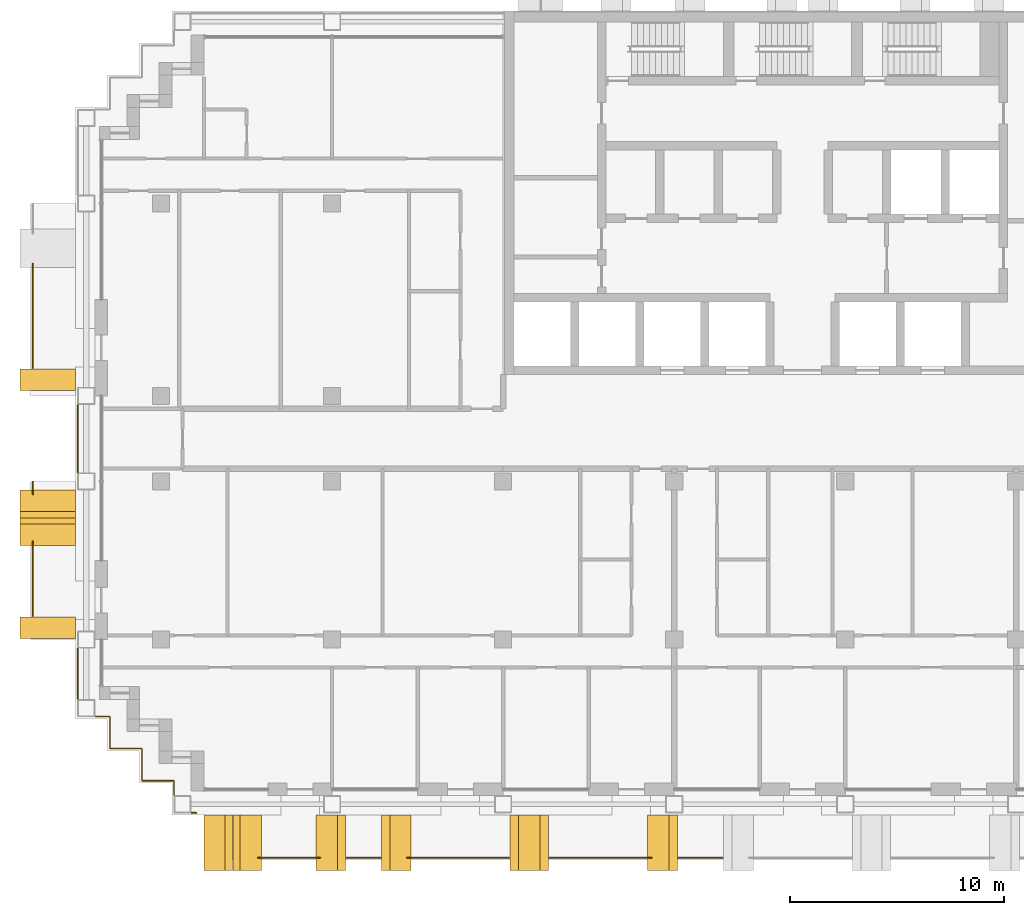
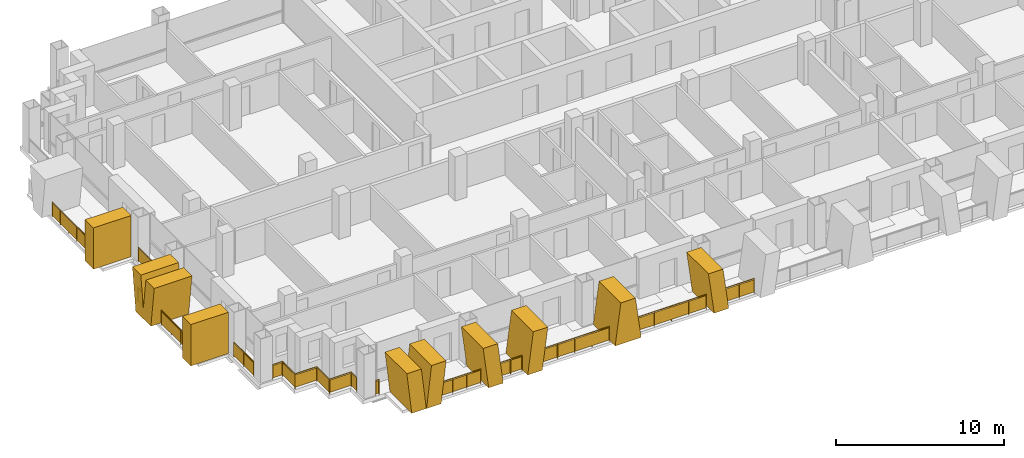
# One storey, part 13 of 16: 12 railings, 9 shading devices.
"""IFC4 building model written with IfcOpenShell, lengths in metres."""

from ifc_helpers import new_model, si_unit, direction, frame, origin, origin_2d, place, context, subcontext, project, spatial, polyline, rectangle, circle, outline, extrude, material, layer, layer_set, type_object, element, save


model = new_model("IFC4")

# Units and contexts
model_context = context("Model", 3, precision=1e-05, world=origin(), true_north=direction((0.0, 1.0)))
body_context = subcontext(model_context, "Body", "Model", "MODEL_VIEW")
ifc_project = project(units=[si_unit("LENGTHUNIT", "METRE"), si_unit("AREAUNIT", "SQUARE_METRE"), si_unit("VOLUMEUNIT", "CUBIC_METRE"), si_unit("PLANEANGLEUNIT", "RADIAN"), si_unit("MASSUNIT", "GRAM", prefix="KILO")], contexts=[model_context])

# Site, building, storey
site_placement = place(None, origin())
site = spatial("IfcSite", under=ifc_project, at=site_placement, CompositionType="ELEMENT")
building_placement = place(site_placement, origin())
building = spatial("IfcBuilding", under=site, at=building_placement, Name="Vidyagriha Tower", CompositionType="ELEMENT")
storey_placement = place(building_placement, frame((0.0, 0.0, 132.60009765625)))
storey = spatial("IfcBuildingStorey", under=building, at=storey_placement, Name="L34", CompositionType="ELEMENT", Elevation=132.60009765625)

# Railings
ifc_material_1 = material(Name="Steel ASTM A500 Grade C black painted", Category="steel")
railing_type_1 = type_object("IfcRailingType", Name="Balcony guard 1100", PredefinedType="BALUSTRADE", material=ifc_material_1)
railing_1_placement = place(storey_placement, frame((-36.0, 8.19677734375, 0.0)))
element("IfcRailing", 1, at=railing_1_placement, inside=storey, type_object=railing_type_1, Name="Balcony guard L34 R16.1-2", PredefinedType="BALUSTRADE", context=body_context, shape_type="SweptSolid", body=[
    extrude(circle(Radius=0.02490234375, at=origin_2d()), frame((0.0, 0.0, 1.0751953125), z_axis=(0.0, -1.0, 0.0), x_axis=(1.0, 0.0, 0.0)), (0.0, 0.0, 1.0), 4.896728515625),
    extrude(circle(Radius=0.02001953125, at=origin_2d()), origin(), (0.0, 0.0, 1.0), 1.050048828125),
    extrude(circle(Radius=0.02001953125, at=origin_2d()), frame((0.0, -0.979248046875, 0.0)), (0.0, 0.0, 1.0), 1.050048828125),
    extrude(circle(Radius=0.02001953125, at=origin_2d()), frame((0.0, -1.958740234375, 0.0)), (0.0, 0.0, 1.0), 1.050048828125),
    extrude(circle(Radius=0.02001953125, at=origin_2d()), frame((0.0, -2.93798828125, 0.0)), (0.0, 0.0, 1.0), 1.050048828125),
    extrude(circle(Radius=0.02001953125, at=origin_2d()), frame((0.0, -3.91748046875, 0.0)), (0.0, 0.0, 1.0), 1.050048828125),
    extrude(circle(Radius=0.02001953125, at=origin_2d()), frame((0.0, -4.896728515625, 0.0)), (0.0, 0.0, 1.0), 1.050048828125),
    extrude(rectangle(XDim=0.010009765625, YDim=0.900146484375, at=origin_2d()), frame((0.0, 0.0, 0.550048828125), z_axis=(0.0, -1.0, 0.0), x_axis=(1.0, 0.0, 0.0)), (0.0, 0.0, 1.0), 4.896728515625),
])
railing_2_placement = place(storey_placement, frame((-36.0, -2.0, 0.0)))
element("IfcRailing", 2, at=railing_2_placement, inside=storey, type_object=railing_type_1, Name="Balcony guard L34 R16.2-1", PredefinedType="BALUSTRADE", context=body_context, shape_type="SweptSolid", body=[
    extrude(circle(Radius=0.02490234375, at=origin_2d()), frame((0.0, 0.0, 1.0751953125), z_axis=(0.0, -1.0, 0.0), x_axis=(1.0, 0.0, 0.0)), (0.0, 0.0, 1.0), 0.5966796875),
    extrude(circle(Radius=0.02001953125, at=origin_2d()), origin(), (0.0, 0.0, 1.0), 1.050048828125),
    extrude(circle(Radius=0.02001953125, at=origin_2d()), frame((0.0, -0.5966796875, 0.0)), (0.0, 0.0, 1.0), 1.050048828125),
    extrude(rectangle(XDim=0.010009765625, YDim=0.900146484375, at=origin_2d()), frame((0.0, 0.0, 0.550048828125), z_axis=(0.0, -1.0, 0.0), x_axis=(1.0, 0.0, 0.0)), (0.0, 0.0, 1.0), 0.5966796875),
])
railing_3_placement = place(storey_placement, frame((-36.0, -4.80322265625, 0.0)))
element("IfcRailing", 3, at=railing_3_placement, inside=storey, type_object=railing_type_1, Name="Balcony guard L34 R16.2-2", PredefinedType="BALUSTRADE", context=body_context, shape_type="SweptSolid", body=[
    extrude(circle(Radius=0.02490234375, at=origin_2d()), frame((0.0, 0.0, 1.0751953125), z_axis=(0.0, -1.0, 0.0), x_axis=(1.0, 0.0, 0.0)), (0.0, 0.0, 1.0), 3.496826171875),
    extrude(circle(Radius=0.02001953125, at=origin_2d()), origin(), (0.0, 0.0, 1.0), 1.050048828125),
    extrude(circle(Radius=0.02001953125, at=origin_2d()), frame((0.0, -1.16552734375, 0.0)), (0.0, 0.0, 1.0), 1.050048828125),
    extrude(circle(Radius=0.02001953125, at=origin_2d()), frame((0.0, -2.331298828125, 0.0)), (0.0, 0.0, 1.0), 1.050048828125),
    extrude(circle(Radius=0.02001953125, at=origin_2d()), frame((0.0, -3.496826171875, 0.0)), (0.0, 0.0, 1.0), 1.050048828125),
    extrude(rectangle(XDim=0.010009765625, YDim=0.900146484375, at=origin_2d()), frame((0.0, 0.0, 0.550048828125), z_axis=(0.0, -1.0, 0.0), x_axis=(1.0, 0.0, 0.0)), (0.0, 0.0, 1.0), 3.496826171875),
])
railing_4_placement = place(storey_placement, frame((-25.459716796875, -19.60009765625, 0.0)))
element("IfcRailing", 4, at=railing_4_placement, inside=storey, type_object=railing_type_1, Name="Balcony guard L34 R23.1-1", PredefinedType="BALUSTRADE", context=body_context, shape_type="SweptSolid", body=[
    extrude(circle(Radius=0.02490234375, at=origin_2d()), frame((0.0, 0.0, 1.0751953125), z_axis=(1.0, 0.0, 0.0), x_axis=(0.0, 1.0, 0.0)), (0.0, 0.0, 1.0), 2.89599609375),
    extrude(circle(Radius=0.02001953125, at=origin_2d()), origin(), (0.0, 0.0, 1.0), 1.050048828125),
    extrude(circle(Radius=0.02001953125, at=origin_2d()), frame((0.96533203125, 0.0, 0.0)), (0.0, 0.0, 1.0), 1.050048828125),
    extrude(circle(Radius=0.02001953125, at=origin_2d()), frame((1.9306640625, 0.0, 0.0)), (0.0, 0.0, 1.0), 1.050048828125),
    extrude(circle(Radius=0.02001953125, at=origin_2d()), frame((2.89599609375, 0.0, 0.0)), (0.0, 0.0, 1.0), 1.050048828125),
    extrude(rectangle(XDim=0.010009765625, YDim=0.900146484375, at=origin_2d()), frame((0.0, 0.0, 0.550048828125), z_axis=(1.0, 0.0, 0.0), x_axis=(0.0, 1.0, 0.0)), (0.0, 0.0, 1.0), 2.89599609375),
])
railing_5_placement = place(storey_placement, frame((-21.316650390625, -19.60009765625, 0.0)))
element("IfcRailing", 5, at=railing_5_placement, inside=storey, type_object=railing_type_1, Name="Balcony guard L34 R23.1-2", PredefinedType="BALUSTRADE", context=body_context, shape_type="SweptSolid", body=[
    extrude(circle(Radius=0.02490234375, at=origin_2d()), frame((0.0, 0.0, 1.0751953125), z_axis=(1.0, 0.0, 0.0), x_axis=(0.0, 1.0, 0.0)), (0.0, 0.0, 1.0), 1.583251953125),
    extrude(circle(Radius=0.02001953125, at=origin_2d()), origin(), (0.0, 0.0, 1.0), 1.050048828125),
    extrude(circle(Radius=0.02001953125, at=origin_2d()), frame((0.79150390625, 0.0, 0.0)), (0.0, 0.0, 1.0), 1.050048828125),
    extrude(circle(Radius=0.02001953125, at=origin_2d()), frame((1.583251953125, 0.0, 0.0)), (0.0, 0.0, 1.0), 1.050048828125),
    extrude(rectangle(XDim=0.010009765625, YDim=0.900146484375, at=origin_2d()), frame((0.0, 0.0, 0.550048828125), z_axis=(1.0, 0.0, 0.0), x_axis=(0.0, 1.0, 0.0)), (0.0, 0.0, 1.0), 1.583251953125),
])
railing_6_placement = place(storey_placement, frame((-18.486328125, -19.60009765625, 0.0)))
element("IfcRailing", 6, at=railing_6_placement, inside=storey, type_object=railing_type_1, Name="Balcony guard L34 R23.1-3", PredefinedType="BALUSTRADE", context=body_context, shape_type="SweptSolid", body=[
    extrude(circle(Radius=0.02490234375, at=origin_2d()), frame((0.0, 0.0, 1.0751953125), z_axis=(1.0, 0.0, 0.0), x_axis=(0.0, 1.0, 0.0)), (0.0, 0.0, 1.0), 4.766357421875),
    extrude(circle(Radius=0.02001953125, at=origin_2d()), origin(), (0.0, 0.0, 1.0), 1.050048828125),
    extrude(circle(Radius=0.02001953125, at=origin_2d()), frame((1.191650390625, 0.0, 0.0)), (0.0, 0.0, 1.0), 1.050048828125),
    extrude(circle(Radius=0.02001953125, at=origin_2d()), frame((2.38330078125, 0.0, 0.0)), (0.0, 0.0, 1.0), 1.050048828125),
    extrude(circle(Radius=0.02001953125, at=origin_2d()), frame((3.57470703125, 0.0, 0.0)), (0.0, 0.0, 1.0), 1.050048828125),
    extrude(circle(Radius=0.02001953125, at=origin_2d()), frame((4.766357421875, 0.0, 0.0)), (0.0, 0.0, 1.0), 1.050048828125),
    extrude(rectangle(XDim=0.010009765625, YDim=0.900146484375, at=origin_2d()), frame((0.0, 0.0, 0.550048828125), z_axis=(1.0, 0.0, 0.0), x_axis=(0.0, 1.0, 0.0)), (0.0, 0.0, 1.0), 4.766357421875),
])
railing_7_placement = place(storey_placement, frame((-11.830078125, -19.60009765625, 0.0)))
element("IfcRailing", 7, at=railing_7_placement, inside=storey, type_object=railing_type_1, Name="Balcony guard L34 R23.1-4", PredefinedType="BALUSTRADE", context=body_context, shape_type="SweptSolid", body=[
    extrude(circle(Radius=0.02490234375, at=origin_2d()), frame((0.0, 0.0, 1.0751953125), z_axis=(1.0, 0.0, 0.0), x_axis=(0.0, 1.0, 0.0)), (0.0, 0.0, 1.0), 4.773681640625),
    extrude(circle(Radius=0.02001953125, at=origin_2d()), origin(), (0.0, 0.0, 1.0), 1.050048828125),
    extrude(circle(Radius=0.02001953125, at=origin_2d()), frame((1.193359375, 0.0, 0.0)), (0.0, 0.0, 1.0), 1.050048828125),
    extrude(circle(Radius=0.02001953125, at=origin_2d()), frame((2.38671875, 0.0, 0.0)), (0.0, 0.0, 1.0), 1.050048828125),
    extrude(circle(Radius=0.02001953125, at=origin_2d()), frame((3.580322265625, 0.0, 0.0)), (0.0, 0.0, 1.0), 1.050048828125),
    extrude(circle(Radius=0.02001953125, at=origin_2d()), frame((4.773681640625, 0.0, 0.0)), (0.0, 0.0, 1.0), 1.050048828125),
    extrude(rectangle(XDim=0.010009765625, YDim=0.900146484375, at=origin_2d()), frame((0.0, 0.0, 0.550048828125), z_axis=(1.0, 0.0, 0.0), x_axis=(0.0, 1.0, 0.0)), (0.0, 0.0, 1.0), 4.773681640625),
])
railing_8_placement = place(storey_placement, frame((-5.804931640625, -19.60009765625, 0.0)))
element("IfcRailing", 8, at=railing_8_placement, inside=storey, type_object=railing_type_1, Name="Balcony guard L34 R23.1-5", PredefinedType="BALUSTRADE", context=body_context, shape_type="SweptSolid", body=[
    extrude(circle(Radius=0.02490234375, at=origin_2d()), frame((0.0, 0.0, 1.0751953125), z_axis=(1.0, 0.0, 0.0), x_axis=(0.0, 1.0, 0.0)), (0.0, 0.0, 1.0), 2.059814453125),
    extrude(circle(Radius=0.02001953125, at=origin_2d()), origin(), (0.0, 0.0, 1.0), 1.050048828125),
    extrude(circle(Radius=0.02001953125, at=origin_2d()), frame((1.02978515625, 0.0, 0.0)), (0.0, 0.0, 1.0), 1.050048828125),
    extrude(circle(Radius=0.02001953125, at=origin_2d()), frame((2.059814453125, 0.0, 0.0)), (0.0, 0.0, 1.0), 1.050048828125),
    extrude(rectangle(XDim=0.010009765625, YDim=0.900146484375, at=origin_2d()), frame((0.0, 0.0, 0.550048828125), z_axis=(1.0, 0.0, 0.0), x_axis=(0.0, 1.0, 0.0)), (0.0, 0.0, 1.0), 2.059814453125),
])

# Shading devices
ifc_material_2 = material(Name="Precast concrete C40/50 with buff brick facing", Category="concrete")
ifc_layer_1 = layer(ifc_material_2, 1.0)
ifc_layer_set_1 = layer_set([ifc_layer_1], Name="Precast concrete C40/50 with buff brick facing")
shading_device_type_1 = type_object("IfcShadingDeviceType", Name="Brick-faced blade fin arm leaning 8 degrees", PredefinedType="USERDEFINED", material=ifc_layer_set_1)
shading_device_1_placement = place(storey_placement, frame((-26.639892578125, -18.89990234375, 0.0)))
element("IfcShadingDevice", 9, at=shading_device_1_placement, inside=storey, type_object=shading_device_type_1, Name="Leaning blade fin L34 R23.0a", ObjectType="BLADE FIN", PredefinedType="USERDEFINED", context=body_context, shape_type="SweptSolid", body=[
    extrude(outline(polyline([(0.0, 0.0), (1.0, 0.0), (1.340087890625, 3.0), (0.340087890625, 3.0), (0.0, 0.0)])), frame((0.0, 1.300048828125, 0.0), z_axis=(0.0, -1.0, 0.0), x_axis=(1.0, 0.0, 0.0)), (0.0, 0.0, 1.0), 2.60009765625),
])
shading_device_2_placement = place(storey_placement, frame((-28.0, -18.89990234375, 0.0)))
element("IfcShadingDevice", 10, at=shading_device_2_placement, inside=storey, type_object=shading_device_type_1, Name="Leaning blade fin L34 R23.0b", ObjectType="BLADE FIN", PredefinedType="USERDEFINED", context=body_context, shape_type="SweptSolid", body=[
    extrude(outline(polyline([(0.340087890625, 0.0), (1.340087890625, 0.0), (1.0, 3.0), (0.0, 3.0), (0.340087890625, 0.0)])), frame((0.0, 1.300048828125, 0.0), z_axis=(0.0, -1.0, 0.0), x_axis=(1.0, 0.0, 0.0)), (0.0, 0.0, 1.0), 2.60009765625),
])
shading_device_3_placement = place(storey_placement, frame((-19.683349609375, -18.89990234375, 0.0)))
element("IfcShadingDevice", 11, at=shading_device_3_placement, inside=storey, type_object=shading_device_type_1, Name="Leaning blade fin L34 R23.600a", ObjectType="BLADE FIN", PredefinedType="USERDEFINED", context=body_context, shape_type="SweptSolid", body=[
    extrude(outline(polyline([(0.0, 0.0), (1.0, 0.0), (1.38330078125, 3.0), (0.38330078125, 3.0), (0.0, 0.0)])), frame((0.0, 1.300048828125, 0.0), z_axis=(0.0, -1.0, 0.0), x_axis=(1.0, 0.0, 0.0)), (0.0, 0.0, 1.0), 2.60009765625),
])
shading_device_4_placement = place(storey_placement, frame((-22.75, -18.89990234375, 0.0)))
element("IfcShadingDevice", 12, at=shading_device_4_placement, inside=storey, type_object=shading_device_type_1, Name="Leaning blade fin L34 R23.600b", ObjectType="BLADE FIN", PredefinedType="USERDEFINED", context=body_context, shape_type="SweptSolid", body=[
    extrude(outline(polyline([(0.38330078125, 0.0), (1.38330078125, 0.0), (1.0, 3.0), (0.0, 3.0), (0.38330078125, 0.0)])), frame((0.0, 1.300048828125, 0.0), z_axis=(0.0, -1.0, 0.0), x_axis=(1.0, 0.0, 0.0)), (0.0, 0.0, 1.0), 2.60009765625),
])
shading_device_5_placement = place(storey_placement, frame((-7.25, -18.89990234375, 0.0)))
element("IfcShadingDevice", 13, at=shading_device_5_placement, inside=storey, type_object=shading_device_type_1, Name="Leaning blade fin L34 R23.2200b", ObjectType="BLADE FIN", PredefinedType="USERDEFINED", context=body_context, shape_type="SweptSolid", body=[
    extrude(outline(polyline([(0.39501953125, 0.0), (1.39501953125, 0.0), (1.0, 3.0), (0.0, 3.0), (0.39501953125, 0.0)])), frame((0.0, 1.300048828125, 0.0), z_axis=(0.0, -1.0, 0.0), x_axis=(1.0, 0.0, 0.0)), (0.0, 0.0, 1.0), 2.60009765625),
])
ifc_material_3 = material(Name="Precast concrete C40/50 with buff brick facing", Category="concrete")
ifc_layer_2 = layer(ifc_material_3, 1.0)
ifc_layer_set_2 = layer_set([ifc_layer_2], Name="Precast concrete C40/50 with buff brick facing")
shading_device_type_2 = type_object("IfcShadingDeviceType", Name="Brick-faced blade fin forking 8 degrees", PredefinedType="USERDEFINED", material=ifc_layer_set_2)
shading_device_6_placement = place(storey_placement, frame((-35.300048828125, -2.39990234375, 0.0), z_axis=(0.0, 0.0, 1.0), x_axis=(0.0, -1.0, 0.0)))
element("IfcShadingDevice", 14, at=shading_device_6_placement, inside=storey, type_object=shading_device_type_2, Name="Forked blade fin L34 R16.1600a", ObjectType="BLADE FIN", PredefinedType="USERDEFINED", context=body_context, shape_type="SweptSolid", body=[
    extrude(outline(polyline([(0.39990234375, 0.0), (2.199951171875, 0.0), (2.60009765625, 3.0), (1.60009765625, 3.0), (1.300048828125, 0.75), (1.0, 3.0), (0.0, 3.0), (0.39990234375, 0.0)])), frame((0.0, 1.300048828125, 0.0), z_axis=(0.0, -1.0, 0.0), x_axis=(1.0, 0.0, 0.0)), (0.0, 0.0, 1.0), 2.60009765625),
])
shading_device_7_placement = place(storey_placement, frame((-13.669921875, -18.89990234375, 0.0)))
element("IfcShadingDevice", 15, at=shading_device_7_placement, inside=storey, type_object=shading_device_type_2, Name="Forked blade fin L34 R23.1400a", ObjectType="BLADE FIN", PredefinedType="USERDEFINED", context=body_context, shape_type="SweptSolid", body=[
    extrude(outline(polyline([(0.0, 0.0), (1.7900390625, 0.0), (1.39501953125, 3.0), (0.39501953125, 3.0), (0.0, 0.0)])), frame((0.0, 1.300048828125, 0.0), z_axis=(0.0, -1.0, 0.0), x_axis=(1.0, 0.0, 0.0)), (0.0, 0.0, 1.0), 2.60009765625),
])
ifc_material_4 = material(Name="Precast concrete C40/50 with buff brick facing", Category="concrete")
ifc_layer_3 = layer(ifc_material_4, 1.0)
ifc_layer_set_3 = layer_set([ifc_layer_3], Name="Precast concrete C40/50 with buff brick facing")
shading_device_type_3 = type_object("IfcShadingDeviceType", Name="Brick-faced blade fin stem 1000", PredefinedType="USERDEFINED", material=ifc_layer_set_3)
for number, where, z_axis, x_axis, name in (
    (16, (-35.300048828125, 3.25, 0.0), (0.0, 0.0, 1.0), (0.0, -1.0, 0.0), "Stem blade fin L34 R16.1200a"),
    (17, (-35.300048828125, -8.35009765625, 0.0), (0.0, 0.0, 1.0), (0.0, -1.0, 0.0), "Stem blade fin L34 R16.2340a"),
):
    element("IfcShadingDevice", number, at=place(storey_placement, frame(where, z_axis=z_axis, x_axis=x_axis)), inside=storey, type_object=shading_device_type_3, Name=name, ObjectType="BLADE FIN", PredefinedType="USERDEFINED", context=body_context, shape_type="SweptSolid", body=[
        extrude(outline(polyline([(0.0, 0.0), (1.0, 0.0), (1.0, 3.0), (0.0, 3.0), (0.0, 0.0)])), frame((0.0, 1.300048828125, 0.0), z_axis=(0.0, -1.0, 0.0), x_axis=(1.0, 0.0, 0.0)), (0.0, 0.0, 1.0), 2.60009765625),
    ])

# Railings
ifc_material_5 = material(Name="Steel ASTM A500 Grade C black painted", Category="steel")
railing_type_2 = type_object("IfcRailingType", Name="Gallery guard 1100", PredefinedType="GUARDRAIL", material=ifc_material_5)
railing_9_placement = place(storey_placement, frame((-33.89990234375, -12.169921875, 0.0)))
element("IfcRailing", 18, at=railing_9_placement, inside=storey, type_object=railing_type_2, Name="Gallery guard L34 1", PredefinedType="GUARDRAIL", context=body_context, shape_type="SweptSolid", body=[
    extrude(circle(Radius=0.02490234375, at=origin_2d()), frame((0.0, 0.0, 1.0751953125), z_axis=(0.0, 1.0, 0.0), x_axis=(-1.0, 0.0, 0.0)), (0.0, 0.0, 1.0), 2.33984375),
    extrude(circle(Radius=0.02001953125, at=origin_2d()), origin(), (0.0, 0.0, 1.0), 1.050048828125),
    extrude(circle(Radius=0.02001953125, at=origin_2d()), frame((0.0, 1.169921875, 0.0)), (0.0, 0.0, 1.0), 1.050048828125),
    extrude(circle(Radius=0.02001953125, at=origin_2d()), frame((0.0, 2.33984375, 0.0)), (0.0, 0.0, 1.0), 1.050048828125),
    extrude(rectangle(XDim=0.010009765625, YDim=0.900146484375, at=origin_2d()), frame((0.0, 0.0, 0.550048828125), z_axis=(0.0, 1.0, 0.0), x_axis=(-1.0, 0.0, 0.0)), (0.0, 0.0, 1.0), 2.33984375),
])
railing_10_placement = place(storey_placement, frame((-33.89990234375, -1.570068359375, 0.0)))
element("IfcRailing", 19, at=railing_10_placement, inside=storey, type_object=railing_type_2, Name="Gallery guard L34 2", PredefinedType="GUARDRAIL", context=body_context, shape_type="SweptSolid", body=[
    extrude(circle(Radius=0.02490234375, at=origin_2d()), frame((0.0, 0.0, 1.0751953125), z_axis=(0.0, 1.0, 0.0), x_axis=(-1.0, 0.0, 0.0)), (0.0, 0.0, 1.0), 3.14013671875),
    extrude(circle(Radius=0.02001953125, at=origin_2d()), origin(), (0.0, 0.0, 1.0), 1.050048828125),
    extrude(circle(Radius=0.02001953125, at=origin_2d()), frame((0.0, 1.046630859375, 0.0)), (0.0, 0.0, 1.0), 1.050048828125),
    extrude(circle(Radius=0.02001953125, at=origin_2d()), frame((0.0, 2.093505859375, 0.0)), (0.0, 0.0, 1.0), 1.050048828125),
    extrude(circle(Radius=0.02001953125, at=origin_2d()), frame((0.0, 3.14013671875, 0.0)), (0.0, 0.0, 1.0), 1.050048828125),
    extrude(rectangle(XDim=0.010009765625, YDim=0.900146484375, at=origin_2d()), frame((0.0, 0.0, 0.550048828125), z_axis=(0.0, 1.0, 0.0), x_axis=(-1.0, 0.0, 0.0)), (0.0, 0.0, 1.0), 3.14013671875),
])
railing_11_placement = place(storey_placement, frame((-29.39990234375, -16.669921875, 0.0)))
element("IfcRailing", 20, at=railing_11_placement, inside=storey, type_object=railing_type_2, Name="Gallery guard L34 4", PredefinedType="GUARDRAIL", context=body_context, shape_type="SweptSolid", body=[
    extrude(circle(Radius=0.02490234375, at=origin_2d()), frame((0.0, 0.0, 1.0751953125), z_axis=(0.0, 1.0, 0.0), x_axis=(-1.0, 0.0, 0.0)), (0.0, 0.0, 1.0), 0.669921875),
    extrude(circle(Radius=0.02490234375, at=origin_2d()), frame((0.0, 0.669921875, 1.0751953125), z_axis=(-1.0, 0.0, 0.0), x_axis=(0.0, -1.0, 0.0)), (0.0, 0.0, 1.0), 1.5),
    extrude(circle(Radius=0.02490234375, at=origin_2d()), frame((-1.5, 0.669921875, 1.0751953125), z_axis=(0.0, 1.0, 0.0), x_axis=(-1.0, 0.0, 0.0)), (0.0, 0.0, 1.0), 1.5),
    extrude(circle(Radius=0.02490234375, at=origin_2d()), frame((-1.5, 2.169921875, 1.0751953125), z_axis=(-1.0, 0.0, 0.0), x_axis=(0.0, -1.0, 0.0)), (0.0, 0.0, 1.0), 1.5),
    extrude(circle(Radius=0.02490234375, at=origin_2d()), frame((-3.0, 2.169921875, 1.0751953125), z_axis=(0.0, 1.0, 0.0), x_axis=(-1.0, 0.0, 0.0)), (0.0, 0.0, 1.0), 1.5),
    extrude(circle(Radius=0.02490234375, at=origin_2d()), frame((-3.0, 3.669921875, 1.0751953125), z_axis=(-1.0, 0.0, 0.0), x_axis=(0.0, -1.0, 0.0)), (0.0, 0.0, 1.0), 0.670166015625),
    extrude(circle(Radius=0.02001953125, at=origin_2d()), origin(), (0.0, 0.0, 1.0), 1.050048828125),
    extrude(circle(Radius=0.02001953125, at=origin_2d()), frame((0.0, 0.669921875, 0.0)), (0.0, 0.0, 1.0), 1.050048828125),
    extrude(circle(Radius=0.02001953125, at=origin_2d()), frame((-1.5, 0.669921875, 0.0)), (0.0, 0.0, 1.0), 1.050048828125),
    extrude(circle(Radius=0.02001953125, at=origin_2d()), frame((-1.5, 2.169921875, 0.0)), (0.0, 0.0, 1.0), 1.050048828125),
    extrude(circle(Radius=0.02001953125, at=origin_2d()), frame((-3.0, 2.169921875, 0.0)), (0.0, 0.0, 1.0), 1.050048828125),
    extrude(circle(Radius=0.02001953125, at=origin_2d()), frame((-3.0, 3.669921875, 0.0)), (0.0, 0.0, 1.0), 1.050048828125),
    extrude(circle(Radius=0.02001953125, at=origin_2d()), frame((-3.670166015625, 3.669921875, 0.0)), (0.0, 0.0, 1.0), 1.050048828125),
    extrude(rectangle(XDim=0.010009765625, YDim=0.900146484375, at=origin_2d()), frame((0.0, 0.0, 0.550048828125), z_axis=(0.0, 1.0, 0.0), x_axis=(-1.0, 0.0, 0.0)), (0.0, 0.0, 1.0), 0.669921875),
    extrude(rectangle(XDim=0.010009765625, YDim=0.900146484375, at=origin_2d()), frame((0.0, 0.669921875, 0.550048828125), z_axis=(-1.0, 0.0, 0.0), x_axis=(0.0, -1.0, 0.0)), (0.0, 0.0, 1.0), 1.5),
    extrude(rectangle(XDim=0.010009765625, YDim=0.900146484375, at=origin_2d()), frame((-1.5, 0.669921875, 0.550048828125), z_axis=(0.0, 1.0, 0.0), x_axis=(-1.0, 0.0, 0.0)), (0.0, 0.0, 1.0), 1.5),
    extrude(rectangle(XDim=0.010009765625, YDim=0.900146484375, at=origin_2d()), frame((-1.5, 2.169921875, 0.550048828125), z_axis=(-1.0, 0.0, 0.0), x_axis=(0.0, -1.0, 0.0)), (0.0, 0.0, 1.0), 1.5),
    extrude(rectangle(XDim=0.010009765625, YDim=0.900146484375, at=origin_2d()), frame((-3.0, 2.169921875, 0.550048828125), z_axis=(0.0, 1.0, 0.0), x_axis=(-1.0, 0.0, 0.0)), (0.0, 0.0, 1.0), 1.5),
    extrude(rectangle(XDim=0.010009765625, YDim=0.900146484375, at=origin_2d()), frame((-3.0, 3.669921875, 0.550048828125), z_axis=(-1.0, 0.0, 0.0), x_axis=(0.0, -1.0, 0.0)), (0.0, 0.0, 1.0), 0.670166015625),
])
railing_12_placement = place(storey_placement, frame((-28.360107421875, -17.5, 0.0)))
element("IfcRailing", 21, at=railing_12_placement, inside=storey, type_object=railing_type_2, Name="Gallery guard L34 6", PredefinedType="GUARDRAIL", context=body_context, shape_type="SweptSolid", body=[
    extrude(circle(Radius=0.02490234375, at=origin_2d()), frame((0.0, 0.0, 1.0751953125), z_axis=(-1.0, 0.0, 0.0), x_axis=(0.0, -1.0, 0.0)), (0.0, 0.0, 1.0), 0.2099609375),
    extrude(circle(Radius=0.02001953125, at=origin_2d()), origin(), (0.0, 0.0, 1.0), 1.050048828125),
    extrude(circle(Radius=0.02001953125, at=origin_2d()), frame((-0.2099609375, 0.0, 0.0)), (0.0, 0.0, 1.0), 1.050048828125),
    extrude(rectangle(XDim=0.010009765625, YDim=0.900146484375, at=origin_2d()), frame((0.0, 0.0, 0.550048828125), z_axis=(-1.0, 0.0, 0.0), x_axis=(0.0, -1.0, 0.0)), (0.0, 0.0, 1.0), 0.2099609375),
])

save(model, "model.ifc")
